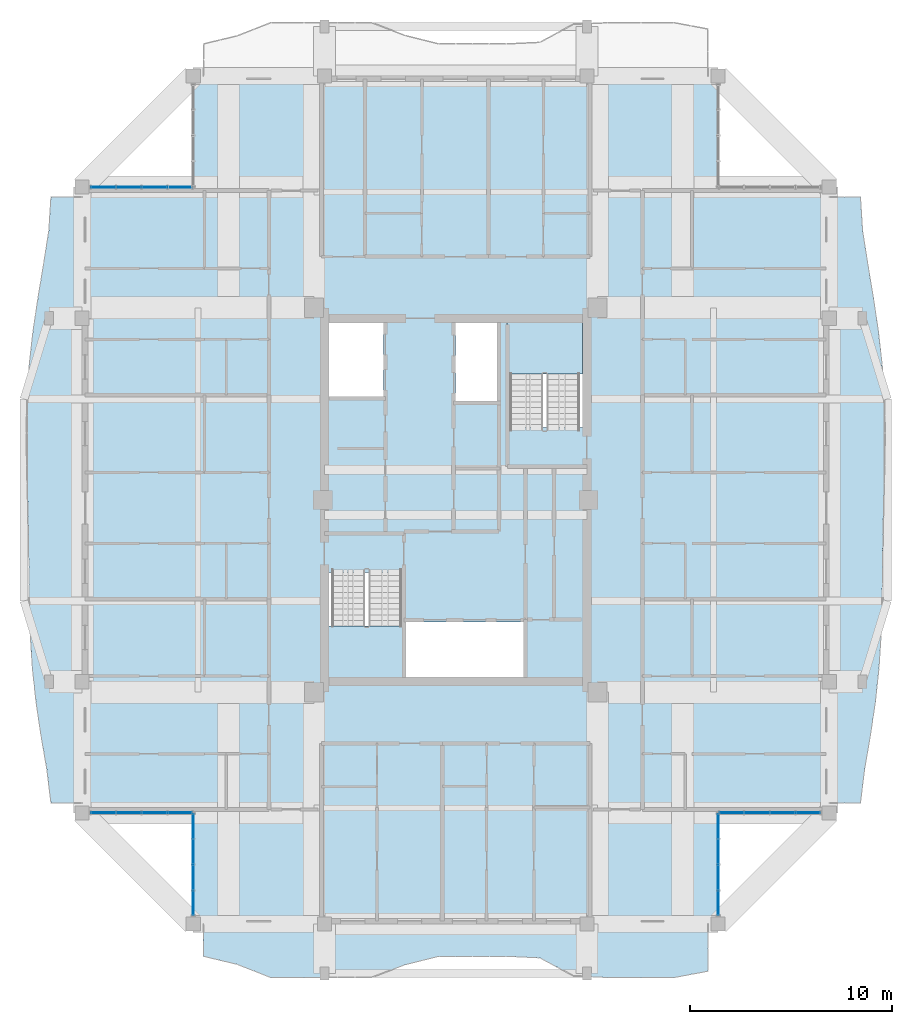
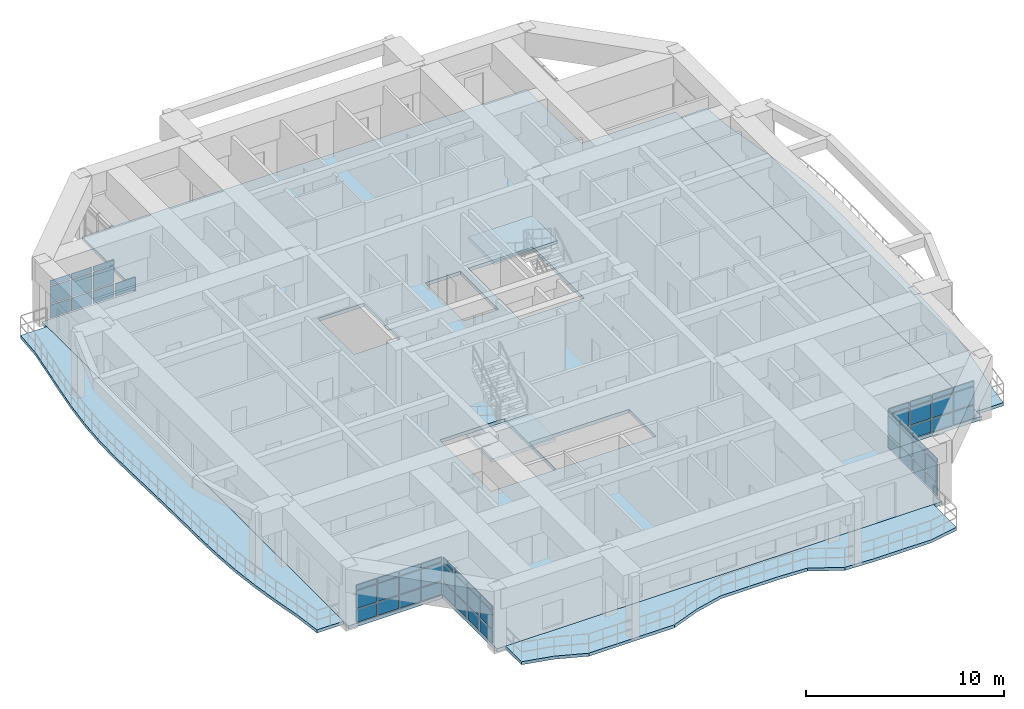
# One storey, part 9 of 22: 58 plates, 6 slabs, 7 elements without a shape of their own.
"""IFC4 building model written with IfcOpenShell, lengths in metres."""

from ifc_helpers import new_model, si_unit, direction, frame, origin, origin_2d, place, context, subcontext, project, spatial, polyline, rectangle, outline, extrude, source, transform, mapped, material, layer, layer_set, type_object, element, aggregate, save


model = new_model("IFC4")

# Units and contexts
model_context = context("Model", 3, precision=1e-05, world=origin(), true_north=direction((0.0, 1.0)))
body_context = subcontext(model_context, "Body", "Model", "MODEL_VIEW")
ifc_project = project(units=[si_unit("LENGTHUNIT", "METRE"), si_unit("AREAUNIT", "SQUARE_METRE"), si_unit("VOLUMEUNIT", "CUBIC_METRE"), si_unit("PLANEANGLEUNIT", "RADIAN"), si_unit("MASSUNIT", "GRAM", prefix="KILO")], contexts=[model_context])

# Site, building, storey
site_placement = place(None, origin())
site = spatial("IfcSite", under=ifc_project, at=site_placement, CompositionType="ELEMENT")
building_placement = place(site_placement, origin())
building = spatial("IfcBuilding", under=site, at=building_placement, Name="Saelheon Loggia Tower", CompositionType="ELEMENT")
storey_placement = place(building_placement, frame((0.0, 0.0, 216.300048828125)))
storey = spatial("IfcBuildingStorey", under=building, at=storey_placement, Name="L67", CompositionType="ELEMENT", Elevation=216.300048828125)

# Slabs
ifc_material_1 = material(Name="Precast Concrete C45/55", Category="concrete")
ifc_layer_1 = layer(ifc_material_1, 0.18994140625)
ifc_layer_set_1 = layer_set([ifc_layer_1], Name="Precast Concrete C45/55")
slab_type_1 = type_object("IfcSlabType", Name="Slab_Loggia_Ext_190", PredefinedType="FLOOR", material=ifc_layer_set_1)
slab_1_placement = place(storey_placement, frame((0.0, 0.0, -0.18994140625)))
element("IfcSlab", 1, at=slab_1_placement, inside=storey, type_object=slab_type_1, Name="L67 Loggia Balcony Slab S", PredefinedType="FLOOR", context=body_context, shape_type="SweptSolid", body=[
    extrude(outline(polyline([(25.5, 4.39990234375), (27.166748046875, 4.003662109375), (28.833251953125, 3.35009765625), (30.5, 3.35009765625), (32.166748046875, 3.35009765625), (33.833251953125, 3.35009765625), (35.5, 3.985595703125), (37.166748046875, 4.39990234375), (38.833251953125, 4.39990234375), (40.5, 4.39990234375), (42.166748046875, 4.3203125), (43.833251953125, 3.43115234375), (45.5, 3.35009765625), (47.166748046875, 3.35009765625), (48.833251953125, 3.35009765625), (50.5, 3.660400390625), (50.5, 6.0), (25.5, 6.0), (25.5, 4.39990234375)])), origin(), (0.0, 0.0, 1.0), 0.18994140625),
])
slab_2_placement = place(storey_placement, frame((0.0, 0.0, -0.18994140625)))
element("IfcSlab", 2, at=slab_2_placement, inside=storey, type_object=slab_type_1, Name="L67 Loggia Balcony Slab E", PredefinedType="FLOOR", context=body_context, shape_type="SweptSolid", body=[
    extrude(outline(polyline([(56.5, 12.0), (58.050048828125, 12.0), (58.25341796875, 13.666748046875), (58.541015625, 15.333251953125), (58.7880859375, 17.0), (58.967041015625, 18.666748046875), (59.072509765625, 20.333251953125), (59.12060546875, 22.0), (59.140869140625, 23.666748046875), (59.162109375, 25.333251953125), (59.197265625, 27.0), (59.2392578125, 28.666748046875), (59.261962890625, 30.333251953125), (59.232666015625, 32.0), (59.127197265625, 33.666748046875), (58.940673828125, 35.333251953125), (58.69189453125, 37.0), (58.416748046875, 38.666748046875), (58.155029296875, 40.333251953125), (58.050048828125, 42.0), (56.5, 42.0), (56.5, 12.0)])), origin(), (0.0, 0.0, 1.0), 0.18994140625),
])
slab_3_placement = place(storey_placement, frame((0.0, 0.0, -0.18994140625)))
element("IfcSlab", 3, at=slab_3_placement, inside=storey, type_object=slab_type_1, Name="L67 Loggia Balcony Slab W", PredefinedType="FLOOR", context=body_context, shape_type="SweptSolid", body=[
    extrude(outline(polyline([(19.5, 12.0), (19.5, 42.0), (17.949951171875, 42.0), (17.844970703125, 40.333251953125), (17.583251953125, 38.666748046875), (17.30810546875, 37.0), (17.059326171875, 35.333251953125), (16.872802734375, 33.666748046875), (16.767333984375, 32.0), (16.738037109375, 30.333251953125), (16.7607421875, 28.666748046875), (16.802734375, 27.0), (16.837890625, 25.333251953125), (16.859130859375, 23.666748046875), (16.87939453125, 22.0), (16.927490234375, 20.333251953125), (17.032958984375, 18.666748046875), (17.2119140625, 17.0), (17.458984375, 15.333251953125), (17.74658203125, 13.666748046875), (17.949951171875, 12.0), (19.5, 12.0)])), origin(), (0.0, 0.0, 1.0), 0.18994140625),
])

# Stair, slab
ifc_material_2 = material(Name="Concrete C40/50", Category="concrete")
stair_type = type_object("IfcStairType", Name="Stair_Escape_Core", PredefinedType="HALF_TURN_STAIR", material=ifc_material_2)
stair_1_placement = place(storey_placement, origin())
stair_1 = element("IfcStair", 4, at=stair_1_placement, inside=storey, type_object=stair_type, Name="L67 Special Escape Stair ST1", PredefinedType="HALF_TURN_STAIR")
ifc_layer_2 = layer(ifc_material_2, 0.199951171875)
ifc_layer_set_2 = layer_set([ifc_layer_2], Name="Concrete C40/50")
slab_type_2 = type_object("IfcSlabType", Name="Slab_StairLanding_ST1", PredefinedType="LANDING", material=ifc_layer_set_2)
slab_4_placement = place(storey_placement, frame((0.0, 0.0, 1.75)))
slab_4 = element("IfcSlab", 5, at=slab_4_placement, type_object=slab_type_2, Name="ST1 landing 1", PredefinedType="LANDING", context=body_context, shape_type="SweptSolid", body=[
    extrude(outline(polyline([(31.7099609375, 20.75), (31.7099609375, 18.2099609375), (35.469970703125, 18.2099609375), (35.469970703125, 20.75), (31.7099609375, 20.75)])), origin(), (0.0, 0.0, 1.0), 0.199951171875),
])
aggregate(stair_1, [slab_4])

stair_2_placement = place(storey_placement, origin())
stair_2 = element("IfcStair", 6, at=stair_2_placement, inside=storey, type_object=stair_type, Name="L67 Special Escape Stair ST2", PredefinedType="HALF_TURN_STAIR")
ifc_layer_3 = layer(ifc_material_2, 0.199951171875)
ifc_layer_set_3 = layer_set([ifc_layer_3], Name="Concrete C40/50")
slab_type_3 = type_object("IfcSlabType", Name="Slab_StairLanding_ST2", PredefinedType="LANDING", material=ifc_layer_set_3)
slab_5_placement = place(storey_placement, frame((0.0, 0.0, 1.75)))
slab_5 = element("IfcSlab", 7, at=slab_5_placement, type_object=slab_type_3, Name="ST2 landing 1", PredefinedType="LANDING", context=body_context, shape_type="SweptSolid", body=[
    extrude(outline(polyline([(44.2900390625, 33.25), (44.2900390625, 35.7900390625), (40.530029296875, 35.7900390625), (40.530029296875, 33.25), (44.2900390625, 33.25)])), origin(), (0.0, 0.0, 1.0), 0.199951171875),
])
aggregate(stair_2, [slab_5])

# Slab
ifc_layer_4 = layer(ifc_material_2, 0.2099609375)
ifc_layer_set_4 = layer_set([ifc_layer_4], Name="Concrete C40/50")
slab_type_4 = type_object("IfcSlabType", Name="Slab_Tower_210", PredefinedType="FLOOR", material=ifc_layer_set_4)
slab_6_placement = place(storey_placement, frame((0.0, 0.0, -0.2099609375)))
element("IfcSlab", 8, at=slab_6_placement, inside=storey, type_object=slab_type_4, Name="L67 Tower Floor Slab", PredefinedType="FLOOR", context=body_context, shape_type="SweptSolid", body=[
    extrude(outline(polyline([(25.0, 6.0), (51.0, 6.0), (51.0, 11.5), (56.5, 11.5), (56.5, 42.5), (51.0, 42.5), (51.0, 48.0), (25.0, 48.0), (25.0, 42.5), (19.5, 42.5), (19.5, 11.5), (25.0, 11.5), (25.0, 6.0)]), holes=[polyline([(31.699951171875, 23.409912109375), (31.699951171875, 18.199951171875), (35.47998046875, 18.199951171875), (35.47998046875, 23.409912109375), (31.699951171875, 23.409912109375)]), polyline([(44.300048828125, 30.590087890625), (44.300048828125, 35.800048828125), (40.52001953125, 35.800048828125), (40.52001953125, 30.590087890625), (44.300048828125, 30.590087890625)]), polyline([(35.530029296875, 18.22509765625), (41.35009765625, 18.22509765625), (41.35009765625, 20.9599609375), (35.530029296875, 20.9599609375), (35.530029296875, 18.22509765625)]), polyline([(31.72509765625, 32.1201171875), (34.419921875, 32.1201171875), (34.419921875, 35.77490234375), (31.72509765625, 35.77490234375), (31.72509765625, 32.1201171875)]), polyline([(38.0, 31.89990234375), (40.050048828125, 31.89990234375), (40.050048828125, 35.77490234375), (38.0, 35.77490234375), (38.0, 31.89990234375)])]), origin(), (0.0, 0.0, 1.0), 0.2099609375),
])

# Curtain wall, plates
ifc_material_3 = material(Name="High-Wind Aluminium and Triple Laminated Glass", Category="aluminium")
ifc_layer_5 = layer(ifc_material_3, 0.179931640625)
ifc_layer_set_5 = layer_set([ifc_layer_5], Name="High-Wind Aluminium and Triple Laminated Glass")
curtain_wall_type = type_object("IfcCurtainWallType", Name="CW_TowerLoggiaHigh", PredefinedType="NOTDEFINED", material=ifc_layer_set_5)
curtain_wall_1_placement = place(storey_placement, origin())
curtain_wall_1 = element("IfcCurtainWall", 9, at=curtain_wall_1_placement, inside=storey, type_object=curtain_wall_type, Name="L67 Corner Notch Glazing SW1", PredefinedType="NOTDEFINED")
ifc_material_4 = material(Name="Triple Low-E Laminated Glazing", Category="glass")
ifc_layer_6 = layer(ifc_material_4, 0.0439453125)
ifc_layer_set_6 = layer_set([ifc_layer_6], Name="Triple Low-E Laminated Glazing")
plate_type = type_object("IfcPlateType", Name="CW_TowerLoggiaHigh_Panel", PredefinedType="CURTAIN_PANEL", material=ifc_layer_set_6)
shared_shape_1 = source(origin(), body_context, "Body", "SweptSolid", [
    extrude(rectangle(XDim=1.172607421875, YDim=0.0439453125, at=origin_2d()), origin(), (0.0, 0.0, 1.0), 0.794921875),
])
plate_1_placement = place(storey_placement, frame((25.0, 7.046142578125, 0.070068359375), z_axis=(0.0, 0.0, 1.0), x_axis=(0.0, 1.0, 0.0)))
plate_1 = element("IfcPlate", 10, at=plate_1_placement, type_object=plate_type, Name="CW4 panel 1.1", PredefinedType="CURTAIN_PANEL", context=body_context, shape_type="MappedRepresentation", body=[
    mapped(shared_shape_1, transform((0.0, 0.0, 0.0), scale=1.0)),
])
plate_2_placement = place(storey_placement, frame((25.0, 10.84375, 0.070068359375), z_axis=(0.0, 0.0, 1.0), x_axis=(0.0, 1.0, 0.0)))
plate_2 = element("IfcPlate", 11, at=plate_2_placement, type_object=plate_type, Name="CW4 panel 4.1", PredefinedType="CURTAIN_PANEL", context=body_context, shape_type="MappedRepresentation", body=[
    mapped(shared_shape_1, transform((0.0, 0.0, 0.0), scale=1.0)),
])

curtain_wall_2_placement = place(storey_placement, origin())
curtain_wall_2 = element("IfcCurtainWall", 12, at=curtain_wall_2_placement, inside=storey, type_object=curtain_wall_type, Name="L67 Corner Notch Glazing SW2", PredefinedType="NOTDEFINED")
plate_3_placement = place(storey_placement, frame((20.546142578125, 11.5, 0.070068359375), z_axis=(0.0, 0.0, 1.0), x_axis=(1.0, 0.0, 0.0)))
plate_3 = element("IfcPlate", 13, at=plate_3_placement, type_object=plate_type, Name="CW4 panel 1.1", PredefinedType="CURTAIN_PANEL", context=body_context, shape_type="MappedRepresentation", body=[
    mapped(shared_shape_1, transform((0.0, 0.0, 0.0), scale=1.0)),
])
plate_4_placement = place(storey_placement, frame((24.34375, 11.5, 0.070068359375), z_axis=(0.0, 0.0, 1.0), x_axis=(1.0, 0.0, 0.0)))
plate_4 = element("IfcPlate", 14, at=plate_4_placement, type_object=plate_type, Name="CW4 panel 4.1", PredefinedType="CURTAIN_PANEL", context=body_context, shape_type="MappedRepresentation", body=[
    mapped(shared_shape_1, transform((0.0, 0.0, 0.0), scale=1.0)),
])

curtain_wall_3_placement = place(storey_placement, origin())
curtain_wall_3 = element("IfcCurtainWall", 15, at=curtain_wall_3_placement, inside=storey, type_object=curtain_wall_type, Name="L67 Corner Notch Glazing SE1", PredefinedType="NOTDEFINED")
plate_5_placement = place(storey_placement, frame((51.0, 7.046142578125, 0.070068359375), z_axis=(0.0, 0.0, 1.0), x_axis=(0.0, 1.0, 0.0)))
plate_5 = element("IfcPlate", 16, at=plate_5_placement, type_object=plate_type, Name="CW4 panel 1.1", PredefinedType="CURTAIN_PANEL", context=body_context, shape_type="MappedRepresentation", body=[
    mapped(shared_shape_1, transform((0.0, 0.0, 0.0), scale=1.0)),
])
plate_6_placement = place(storey_placement, frame((51.0, 10.84375, 0.070068359375), z_axis=(0.0, 0.0, 1.0), x_axis=(0.0, 1.0, 0.0)))
plate_6 = element("IfcPlate", 17, at=plate_6_placement, type_object=plate_type, Name="CW4 panel 4.1", PredefinedType="CURTAIN_PANEL", context=body_context, shape_type="MappedRepresentation", body=[
    mapped(shared_shape_1, transform((0.0, 0.0, 0.0), scale=1.0)),
])

curtain_wall_4_placement = place(storey_placement, origin())
curtain_wall_4 = element("IfcCurtainWall", 18, at=curtain_wall_4_placement, inside=storey, type_object=curtain_wall_type, Name="L67 Corner Notch Glazing SE2", PredefinedType="NOTDEFINED")
plate_7_placement = place(storey_placement, frame((51.65625, 11.5, 0.070068359375), z_axis=(0.0, 0.0, 1.0), x_axis=(1.0, 0.0, 0.0)))
plate_7 = element("IfcPlate", 19, at=plate_7_placement, type_object=plate_type, Name="CW4 panel 1.1", PredefinedType="CURTAIN_PANEL", context=body_context, shape_type="MappedRepresentation", body=[
    mapped(shared_shape_1, transform((0.0, 0.0, 0.0), scale=1.0)),
])
plate_8_placement = place(storey_placement, frame((55.453857421875, 11.5, 0.070068359375), z_axis=(0.0, 0.0, 1.0), x_axis=(1.0, 0.0, 0.0)))
plate_8 = element("IfcPlate", 20, at=plate_8_placement, type_object=plate_type, Name="CW4 panel 4.1", PredefinedType="CURTAIN_PANEL", context=body_context, shape_type="MappedRepresentation", body=[
    mapped(shared_shape_1, transform((0.0, 0.0, 0.0), scale=1.0)),
])

curtain_wall_5_placement = place(storey_placement, origin())
curtain_wall_5 = element("IfcCurtainWall", 21, at=curtain_wall_5_placement, inside=storey, type_object=curtain_wall_type, Name="L67 Corner Notch Glazing NW2", PredefinedType="NOTDEFINED")
plate_9_placement = place(storey_placement, frame((20.546142578125, 42.5, 0.070068359375), z_axis=(0.0, 0.0, 1.0), x_axis=(1.0, 0.0, 0.0)))
plate_9 = element("IfcPlate", 22, at=plate_9_placement, type_object=plate_type, Name="CW4 panel 1.1", PredefinedType="CURTAIN_PANEL", context=body_context, shape_type="MappedRepresentation", body=[
    mapped(shared_shape_1, transform((0.0, 0.0, 0.0), scale=1.0)),
])
plate_10_placement = place(storey_placement, frame((24.34375, 42.5, 0.070068359375), z_axis=(0.0, 0.0, 1.0), x_axis=(1.0, 0.0, 0.0)))
plate_10 = element("IfcPlate", 23, at=plate_10_placement, type_object=plate_type, Name="CW4 panel 4.1", PredefinedType="CURTAIN_PANEL", context=body_context, shape_type="MappedRepresentation", body=[
    mapped(shared_shape_1, transform((0.0, 0.0, 0.0), scale=1.0)),
])

# Plate
shared_shape_2 = source(origin(), body_context, "Body", "SweptSolid", [
    extrude(rectangle(XDim=1.172607421875, YDim=0.0439453125, at=origin_2d()), origin(), (0.0, 0.0, 1.0), 1.080078125),
])
plate_11_placement = place(storey_placement, frame((25.0, 7.046142578125, 0.934814453125), z_axis=(0.0, 0.0, 1.0), x_axis=(0.0, 1.0, 0.0)))
plate_11 = element("IfcPlate", 24, at=plate_11_placement, type_object=plate_type, Name="CW4 panel 1.2", PredefinedType="CURTAIN_PANEL", context=body_context, shape_type="MappedRepresentation", body=[
    mapped(shared_shape_2, transform((0.0, 0.0, 0.0), scale=1.0)),
])

plate_12_placement = place(storey_placement, frame((25.0, 10.84375, 0.934814453125), z_axis=(0.0, 0.0, 1.0), x_axis=(0.0, 1.0, 0.0)))
plate_12 = element("IfcPlate", 25, at=plate_12_placement, type_object=plate_type, Name="CW4 panel 4.2", PredefinedType="CURTAIN_PANEL", context=body_context, shape_type="MappedRepresentation", body=[
    mapped(shared_shape_2, transform((0.0, 0.0, 0.0), scale=1.0)),
])

plate_13_placement = place(storey_placement, frame((20.546142578125, 11.5, 0.934814453125), z_axis=(0.0, 0.0, 1.0), x_axis=(1.0, 0.0, 0.0)))
plate_13 = element("IfcPlate", 26, at=plate_13_placement, type_object=plate_type, Name="CW4 panel 1.2", PredefinedType="CURTAIN_PANEL", context=body_context, shape_type="MappedRepresentation", body=[
    mapped(shared_shape_2, transform((0.0, 0.0, 0.0), scale=1.0)),
])

plate_14_placement = place(storey_placement, frame((24.34375, 11.5, 0.934814453125), z_axis=(0.0, 0.0, 1.0), x_axis=(1.0, 0.0, 0.0)))
plate_14 = element("IfcPlate", 27, at=plate_14_placement, type_object=plate_type, Name="CW4 panel 4.2", PredefinedType="CURTAIN_PANEL", context=body_context, shape_type="MappedRepresentation", body=[
    mapped(shared_shape_2, transform((0.0, 0.0, 0.0), scale=1.0)),
])

plate_15_placement = place(storey_placement, frame((51.0, 7.046142578125, 0.934814453125), z_axis=(0.0, 0.0, 1.0), x_axis=(0.0, 1.0, 0.0)))
plate_15 = element("IfcPlate", 28, at=plate_15_placement, type_object=plate_type, Name="CW4 panel 1.2", PredefinedType="CURTAIN_PANEL", context=body_context, shape_type="MappedRepresentation", body=[
    mapped(shared_shape_2, transform((0.0, 0.0, 0.0), scale=1.0)),
])

plate_16_placement = place(storey_placement, frame((51.0, 10.84375, 0.934814453125), z_axis=(0.0, 0.0, 1.0), x_axis=(0.0, 1.0, 0.0)))
plate_16 = element("IfcPlate", 29, at=plate_16_placement, type_object=plate_type, Name="CW4 panel 4.2", PredefinedType="CURTAIN_PANEL", context=body_context, shape_type="MappedRepresentation", body=[
    mapped(shared_shape_2, transform((0.0, 0.0, 0.0), scale=1.0)),
])

plate_17_placement = place(storey_placement, frame((51.65625, 11.5, 0.934814453125), z_axis=(0.0, 0.0, 1.0), x_axis=(1.0, 0.0, 0.0)))
plate_17 = element("IfcPlate", 30, at=plate_17_placement, type_object=plate_type, Name="CW4 panel 1.2", PredefinedType="CURTAIN_PANEL", context=body_context, shape_type="MappedRepresentation", body=[
    mapped(shared_shape_2, transform((0.0, 0.0, 0.0), scale=1.0)),
])

plate_18_placement = place(storey_placement, frame((55.453857421875, 11.5, 0.934814453125), z_axis=(0.0, 0.0, 1.0), x_axis=(1.0, 0.0, 0.0)))
plate_18 = element("IfcPlate", 31, at=plate_18_placement, type_object=plate_type, Name="CW4 panel 4.2", PredefinedType="CURTAIN_PANEL", context=body_context, shape_type="MappedRepresentation", body=[
    mapped(shared_shape_2, transform((0.0, 0.0, 0.0), scale=1.0)),
])

plate_19_placement = place(storey_placement, frame((20.546142578125, 42.5, 0.934814453125), z_axis=(0.0, 0.0, 1.0), x_axis=(1.0, 0.0, 0.0)))
plate_19 = element("IfcPlate", 32, at=plate_19_placement, type_object=plate_type, Name="CW4 panel 1.2", PredefinedType="CURTAIN_PANEL", context=body_context, shape_type="MappedRepresentation", body=[
    mapped(shared_shape_2, transform((0.0, 0.0, 0.0), scale=1.0)),
])

shared_shape_3 = source(origin(), body_context, "Body", "SweptSolid", [
    extrude(rectangle(XDim=1.172607421875, YDim=0.0439453125, at=origin_2d()), origin(), (0.0, 0.0, 1.0), 0.284912109375),
])
plate_20_placement = place(storey_placement, frame((25.0, 7.046142578125, 2.0849609375), z_axis=(0.0, 0.0, 1.0), x_axis=(0.0, 1.0, 0.0)))
plate_20 = element("IfcPlate", 33, at=plate_20_placement, type_object=plate_type, Name="CW4 panel 1.3", PredefinedType="CURTAIN_PANEL", context=body_context, shape_type="MappedRepresentation", body=[
    mapped(shared_shape_3, transform((0.0, 0.0, 0.0), scale=1.0)),
])

plate_21_placement = place(storey_placement, frame((25.0, 10.84375, 2.0849609375), z_axis=(0.0, 0.0, 1.0), x_axis=(0.0, 1.0, 0.0)))
plate_21 = element("IfcPlate", 34, at=plate_21_placement, type_object=plate_type, Name="CW4 panel 4.3", PredefinedType="CURTAIN_PANEL", context=body_context, shape_type="MappedRepresentation", body=[
    mapped(shared_shape_3, transform((0.0, 0.0, 0.0), scale=1.0)),
])

plate_22_placement = place(storey_placement, frame((20.546142578125, 11.5, 2.0849609375), z_axis=(0.0, 0.0, 1.0), x_axis=(1.0, 0.0, 0.0)))
plate_22 = element("IfcPlate", 35, at=plate_22_placement, type_object=plate_type, Name="CW4 panel 1.3", PredefinedType="CURTAIN_PANEL", context=body_context, shape_type="MappedRepresentation", body=[
    mapped(shared_shape_3, transform((0.0, 0.0, 0.0), scale=1.0)),
])

plate_23_placement = place(storey_placement, frame((24.34375, 11.5, 2.0849609375), z_axis=(0.0, 0.0, 1.0), x_axis=(1.0, 0.0, 0.0)))
plate_23 = element("IfcPlate", 36, at=plate_23_placement, type_object=plate_type, Name="CW4 panel 4.3", PredefinedType="CURTAIN_PANEL", context=body_context, shape_type="MappedRepresentation", body=[
    mapped(shared_shape_3, transform((0.0, 0.0, 0.0), scale=1.0)),
])

plate_24_placement = place(storey_placement, frame((51.0, 7.046142578125, 2.0849609375), z_axis=(0.0, 0.0, 1.0), x_axis=(0.0, 1.0, 0.0)))
plate_24 = element("IfcPlate", 37, at=plate_24_placement, type_object=plate_type, Name="CW4 panel 1.3", PredefinedType="CURTAIN_PANEL", context=body_context, shape_type="MappedRepresentation", body=[
    mapped(shared_shape_3, transform((0.0, 0.0, 0.0), scale=1.0)),
])

plate_25_placement = place(storey_placement, frame((51.0, 10.84375, 2.0849609375), z_axis=(0.0, 0.0, 1.0), x_axis=(0.0, 1.0, 0.0)))
plate_25 = element("IfcPlate", 38, at=plate_25_placement, type_object=plate_type, Name="CW4 panel 4.3", PredefinedType="CURTAIN_PANEL", context=body_context, shape_type="MappedRepresentation", body=[
    mapped(shared_shape_3, transform((0.0, 0.0, 0.0), scale=1.0)),
])

plate_26_placement = place(storey_placement, frame((51.65625, 11.5, 2.0849609375), z_axis=(0.0, 0.0, 1.0), x_axis=(1.0, 0.0, 0.0)))
plate_26 = element("IfcPlate", 39, at=plate_26_placement, type_object=plate_type, Name="CW4 panel 1.3", PredefinedType="CURTAIN_PANEL", context=body_context, shape_type="MappedRepresentation", body=[
    mapped(shared_shape_3, transform((0.0, 0.0, 0.0), scale=1.0)),
])

plate_27_placement = place(storey_placement, frame((55.453857421875, 11.5, 2.0849609375), z_axis=(0.0, 0.0, 1.0), x_axis=(1.0, 0.0, 0.0)))
plate_27 = element("IfcPlate", 40, at=plate_27_placement, type_object=plate_type, Name="CW4 panel 4.3", PredefinedType="CURTAIN_PANEL", context=body_context, shape_type="MappedRepresentation", body=[
    mapped(shared_shape_3, transform((0.0, 0.0, 0.0), scale=1.0)),
])

plate_28_placement = place(storey_placement, frame((20.546142578125, 42.5, 2.0849609375), z_axis=(0.0, 0.0, 1.0), x_axis=(1.0, 0.0, 0.0)))
plate_28 = element("IfcPlate", 41, at=plate_28_placement, type_object=plate_type, Name="CW4 panel 1.3", PredefinedType="CURTAIN_PANEL", context=body_context, shape_type="MappedRepresentation", body=[
    mapped(shared_shape_3, transform((0.0, 0.0, 0.0), scale=1.0)),
])

shared_shape_4 = source(origin(), body_context, "Body", "SweptSolid", [
    extrude(rectangle(XDim=1.20751953125, YDim=0.0439453125, at=origin_2d()), origin(), (0.0, 0.0, 1.0), 0.794921875),
])
plate_29_placement = place(storey_placement, frame((25.0, 8.30615234375, 0.070068359375), z_axis=(0.0, 0.0, 1.0), x_axis=(0.0, 1.0, 0.0)))
plate_29 = element("IfcPlate", 42, at=plate_29_placement, type_object=plate_type, Name="CW4 panel 2.1", PredefinedType="CURTAIN_PANEL", context=body_context, shape_type="MappedRepresentation", body=[
    mapped(shared_shape_4, transform((0.0, 0.0, 0.0), scale=1.0)),
])

plate_30_placement = place(storey_placement, frame((25.0, 9.583740234375, 0.070068359375), z_axis=(0.0, 0.0, 1.0), x_axis=(0.0, 1.0, 0.0)))
plate_30 = element("IfcPlate", 43, at=plate_30_placement, type_object=plate_type, Name="CW4 panel 3.1", PredefinedType="CURTAIN_PANEL", context=body_context, shape_type="MappedRepresentation", body=[
    mapped(shared_shape_4, transform((0.0, 0.0, 0.0), scale=1.0)),
])

plate_31_placement = place(storey_placement, frame((21.80615234375, 11.5, 0.070068359375), z_axis=(0.0, 0.0, 1.0), x_axis=(1.0, 0.0, 0.0)))
plate_31 = element("IfcPlate", 44, at=plate_31_placement, type_object=plate_type, Name="CW4 panel 2.1", PredefinedType="CURTAIN_PANEL", context=body_context, shape_type="MappedRepresentation", body=[
    mapped(shared_shape_4, transform((0.0, 0.0, 0.0), scale=1.0)),
])

plate_32_placement = place(storey_placement, frame((23.083740234375, 11.5, 0.070068359375), z_axis=(0.0, 0.0, 1.0), x_axis=(1.0, 0.0, 0.0)))
plate_32 = element("IfcPlate", 45, at=plate_32_placement, type_object=plate_type, Name="CW4 panel 3.1", PredefinedType="CURTAIN_PANEL", context=body_context, shape_type="MappedRepresentation", body=[
    mapped(shared_shape_4, transform((0.0, 0.0, 0.0), scale=1.0)),
])

plate_33_placement = place(storey_placement, frame((51.0, 8.30615234375, 0.070068359375), z_axis=(0.0, 0.0, 1.0), x_axis=(0.0, 1.0, 0.0)))
plate_33 = element("IfcPlate", 46, at=plate_33_placement, type_object=plate_type, Name="CW4 panel 2.1", PredefinedType="CURTAIN_PANEL", context=body_context, shape_type="MappedRepresentation", body=[
    mapped(shared_shape_4, transform((0.0, 0.0, 0.0), scale=1.0)),
])

plate_34_placement = place(storey_placement, frame((51.0, 9.583740234375, 0.070068359375), z_axis=(0.0, 0.0, 1.0), x_axis=(0.0, 1.0, 0.0)))
plate_34 = element("IfcPlate", 47, at=plate_34_placement, type_object=plate_type, Name="CW4 panel 3.1", PredefinedType="CURTAIN_PANEL", context=body_context, shape_type="MappedRepresentation", body=[
    mapped(shared_shape_4, transform((0.0, 0.0, 0.0), scale=1.0)),
])

plate_35_placement = place(storey_placement, frame((52.916259765625, 11.5, 0.070068359375), z_axis=(0.0, 0.0, 1.0), x_axis=(1.0, 0.0, 0.0)))
plate_35 = element("IfcPlate", 48, at=plate_35_placement, type_object=plate_type, Name="CW4 panel 2.1", PredefinedType="CURTAIN_PANEL", context=body_context, shape_type="MappedRepresentation", body=[
    mapped(shared_shape_4, transform((0.0, 0.0, 0.0), scale=1.0)),
])

plate_36_placement = place(storey_placement, frame((54.19384765625, 11.5, 0.070068359375), z_axis=(0.0, 0.0, 1.0), x_axis=(1.0, 0.0, 0.0)))
plate_36 = element("IfcPlate", 49, at=plate_36_placement, type_object=plate_type, Name="CW4 panel 3.1", PredefinedType="CURTAIN_PANEL", context=body_context, shape_type="MappedRepresentation", body=[
    mapped(shared_shape_4, transform((0.0, 0.0, 0.0), scale=1.0)),
])

plate_37_placement = place(storey_placement, frame((21.80615234375, 42.5, 0.070068359375), z_axis=(0.0, 0.0, 1.0), x_axis=(1.0, 0.0, 0.0)))
plate_37 = element("IfcPlate", 50, at=plate_37_placement, type_object=plate_type, Name="CW4 panel 2.1", PredefinedType="CURTAIN_PANEL", context=body_context, shape_type="MappedRepresentation", body=[
    mapped(shared_shape_4, transform((0.0, 0.0, 0.0), scale=1.0)),
])

plate_38_placement = place(storey_placement, frame((23.083740234375, 42.5, 0.070068359375), z_axis=(0.0, 0.0, 1.0), x_axis=(1.0, 0.0, 0.0)))
plate_38 = element("IfcPlate", 51, at=plate_38_placement, type_object=plate_type, Name="CW4 panel 3.1", PredefinedType="CURTAIN_PANEL", context=body_context, shape_type="MappedRepresentation", body=[
    mapped(shared_shape_4, transform((0.0, 0.0, 0.0), scale=1.0)),
])

shared_shape_5 = source(origin(), body_context, "Body", "SweptSolid", [
    extrude(rectangle(XDim=1.20751953125, YDim=0.0439453125, at=origin_2d()), origin(), (0.0, 0.0, 1.0), 1.080078125),
])
plate_39_placement = place(storey_placement, frame((25.0, 8.30615234375, 0.934814453125), z_axis=(0.0, 0.0, 1.0), x_axis=(0.0, 1.0, 0.0)))
plate_39 = element("IfcPlate", 52, at=plate_39_placement, type_object=plate_type, Name="CW4 panel 2.2", PredefinedType="CURTAIN_PANEL", context=body_context, shape_type="MappedRepresentation", body=[
    mapped(shared_shape_5, transform((0.0, 0.0, 0.0), scale=1.0)),
])

plate_40_placement = place(storey_placement, frame((25.0, 9.583740234375, 0.934814453125), z_axis=(0.0, 0.0, 1.0), x_axis=(0.0, 1.0, 0.0)))
plate_40 = element("IfcPlate", 53, at=plate_40_placement, type_object=plate_type, Name="CW4 panel 3.2", PredefinedType="CURTAIN_PANEL", context=body_context, shape_type="MappedRepresentation", body=[
    mapped(shared_shape_5, transform((0.0, 0.0, 0.0), scale=1.0)),
])

plate_41_placement = place(storey_placement, frame((21.80615234375, 11.5, 0.934814453125), z_axis=(0.0, 0.0, 1.0), x_axis=(1.0, 0.0, 0.0)))
plate_41 = element("IfcPlate", 54, at=plate_41_placement, type_object=plate_type, Name="CW4 panel 2.2", PredefinedType="CURTAIN_PANEL", context=body_context, shape_type="MappedRepresentation", body=[
    mapped(shared_shape_5, transform((0.0, 0.0, 0.0), scale=1.0)),
])

plate_42_placement = place(storey_placement, frame((23.083740234375, 11.5, 0.934814453125), z_axis=(0.0, 0.0, 1.0), x_axis=(1.0, 0.0, 0.0)))
plate_42 = element("IfcPlate", 55, at=plate_42_placement, type_object=plate_type, Name="CW4 panel 3.2", PredefinedType="CURTAIN_PANEL", context=body_context, shape_type="MappedRepresentation", body=[
    mapped(shared_shape_5, transform((0.0, 0.0, 0.0), scale=1.0)),
])

plate_43_placement = place(storey_placement, frame((51.0, 8.30615234375, 0.934814453125), z_axis=(0.0, 0.0, 1.0), x_axis=(0.0, 1.0, 0.0)))
plate_43 = element("IfcPlate", 56, at=plate_43_placement, type_object=plate_type, Name="CW4 panel 2.2", PredefinedType="CURTAIN_PANEL", context=body_context, shape_type="MappedRepresentation", body=[
    mapped(shared_shape_5, transform((0.0, 0.0, 0.0), scale=1.0)),
])

plate_44_placement = place(storey_placement, frame((51.0, 9.583740234375, 0.934814453125), z_axis=(0.0, 0.0, 1.0), x_axis=(0.0, 1.0, 0.0)))
plate_44 = element("IfcPlate", 57, at=plate_44_placement, type_object=plate_type, Name="CW4 panel 3.2", PredefinedType="CURTAIN_PANEL", context=body_context, shape_type="MappedRepresentation", body=[
    mapped(shared_shape_5, transform((0.0, 0.0, 0.0), scale=1.0)),
])

plate_45_placement = place(storey_placement, frame((52.916259765625, 11.5, 0.934814453125), z_axis=(0.0, 0.0, 1.0), x_axis=(1.0, 0.0, 0.0)))
plate_45 = element("IfcPlate", 58, at=plate_45_placement, type_object=plate_type, Name="CW4 panel 2.2", PredefinedType="CURTAIN_PANEL", context=body_context, shape_type="MappedRepresentation", body=[
    mapped(shared_shape_5, transform((0.0, 0.0, 0.0), scale=1.0)),
])

plate_46_placement = place(storey_placement, frame((54.19384765625, 11.5, 0.934814453125), z_axis=(0.0, 0.0, 1.0), x_axis=(1.0, 0.0, 0.0)))
plate_46 = element("IfcPlate", 59, at=plate_46_placement, type_object=plate_type, Name="CW4 panel 3.2", PredefinedType="CURTAIN_PANEL", context=body_context, shape_type="MappedRepresentation", body=[
    mapped(shared_shape_5, transform((0.0, 0.0, 0.0), scale=1.0)),
])

plate_47_placement = place(storey_placement, frame((21.80615234375, 42.5, 0.934814453125), z_axis=(0.0, 0.0, 1.0), x_axis=(1.0, 0.0, 0.0)))
plate_47 = element("IfcPlate", 60, at=plate_47_placement, type_object=plate_type, Name="CW4 panel 2.2", PredefinedType="CURTAIN_PANEL", context=body_context, shape_type="MappedRepresentation", body=[
    mapped(shared_shape_5, transform((0.0, 0.0, 0.0), scale=1.0)),
])

plate_48_placement = place(storey_placement, frame((23.083740234375, 42.5, 0.934814453125), z_axis=(0.0, 0.0, 1.0), x_axis=(1.0, 0.0, 0.0)))
plate_48 = element("IfcPlate", 61, at=plate_48_placement, type_object=plate_type, Name="CW4 panel 3.2", PredefinedType="CURTAIN_PANEL", context=body_context, shape_type="MappedRepresentation", body=[
    mapped(shared_shape_5, transform((0.0, 0.0, 0.0), scale=1.0)),
])

shared_shape_6 = source(origin(), body_context, "Body", "SweptSolid", [
    extrude(rectangle(XDim=1.20751953125, YDim=0.0439453125, at=origin_2d()), origin(), (0.0, 0.0, 1.0), 0.284912109375),
])
plate_49_placement = place(storey_placement, frame((25.0, 8.30615234375, 2.0849609375), z_axis=(0.0, 0.0, 1.0), x_axis=(0.0, 1.0, 0.0)))
plate_49 = element("IfcPlate", 62, at=plate_49_placement, type_object=plate_type, Name="CW4 panel 2.3", PredefinedType="CURTAIN_PANEL", context=body_context, shape_type="MappedRepresentation", body=[
    mapped(shared_shape_6, transform((0.0, 0.0, 0.0), scale=1.0)),
])

plate_50_placement = place(storey_placement, frame((25.0, 9.583740234375, 2.0849609375), z_axis=(0.0, 0.0, 1.0), x_axis=(0.0, 1.0, 0.0)))
plate_50 = element("IfcPlate", 63, at=plate_50_placement, type_object=plate_type, Name="CW4 panel 3.3", PredefinedType="CURTAIN_PANEL", context=body_context, shape_type="MappedRepresentation", body=[
    mapped(shared_shape_6, transform((0.0, 0.0, 0.0), scale=1.0)),
])

aggregate(curtain_wall_1, [plate_1, plate_11, plate_20, plate_29, plate_39, plate_49, plate_30, plate_40, plate_50, plate_2, plate_12, plate_21])

plate_51_placement = place(storey_placement, frame((21.80615234375, 11.5, 2.0849609375), z_axis=(0.0, 0.0, 1.0), x_axis=(1.0, 0.0, 0.0)))
plate_51 = element("IfcPlate", 64, at=plate_51_placement, type_object=plate_type, Name="CW4 panel 2.3", PredefinedType="CURTAIN_PANEL", context=body_context, shape_type="MappedRepresentation", body=[
    mapped(shared_shape_6, transform((0.0, 0.0, 0.0), scale=1.0)),
])

plate_52_placement = place(storey_placement, frame((23.083740234375, 11.5, 2.0849609375), z_axis=(0.0, 0.0, 1.0), x_axis=(1.0, 0.0, 0.0)))
plate_52 = element("IfcPlate", 65, at=plate_52_placement, type_object=plate_type, Name="CW4 panel 3.3", PredefinedType="CURTAIN_PANEL", context=body_context, shape_type="MappedRepresentation", body=[
    mapped(shared_shape_6, transform((0.0, 0.0, 0.0), scale=1.0)),
])

aggregate(curtain_wall_2, [plate_3, plate_13, plate_22, plate_31, plate_41, plate_51, plate_32, plate_42, plate_52, plate_4, plate_14, plate_23])

plate_53_placement = place(storey_placement, frame((51.0, 8.30615234375, 2.0849609375), z_axis=(0.0, 0.0, 1.0), x_axis=(0.0, 1.0, 0.0)))
plate_53 = element("IfcPlate", 66, at=plate_53_placement, type_object=plate_type, Name="CW4 panel 2.3", PredefinedType="CURTAIN_PANEL", context=body_context, shape_type="MappedRepresentation", body=[
    mapped(shared_shape_6, transform((0.0, 0.0, 0.0), scale=1.0)),
])

plate_54_placement = place(storey_placement, frame((51.0, 9.583740234375, 2.0849609375), z_axis=(0.0, 0.0, 1.0), x_axis=(0.0, 1.0, 0.0)))
plate_54 = element("IfcPlate", 67, at=plate_54_placement, type_object=plate_type, Name="CW4 panel 3.3", PredefinedType="CURTAIN_PANEL", context=body_context, shape_type="MappedRepresentation", body=[
    mapped(shared_shape_6, transform((0.0, 0.0, 0.0), scale=1.0)),
])

aggregate(curtain_wall_3, [plate_5, plate_15, plate_24, plate_33, plate_43, plate_53, plate_34, plate_44, plate_54, plate_6, plate_16, plate_25])

plate_55_placement = place(storey_placement, frame((52.916259765625, 11.5, 2.0849609375), z_axis=(0.0, 0.0, 1.0), x_axis=(1.0, 0.0, 0.0)))
plate_55 = element("IfcPlate", 68, at=plate_55_placement, type_object=plate_type, Name="CW4 panel 2.3", PredefinedType="CURTAIN_PANEL", context=body_context, shape_type="MappedRepresentation", body=[
    mapped(shared_shape_6, transform((0.0, 0.0, 0.0), scale=1.0)),
])

plate_56_placement = place(storey_placement, frame((54.19384765625, 11.5, 2.0849609375), z_axis=(0.0, 0.0, 1.0), x_axis=(1.0, 0.0, 0.0)))
plate_56 = element("IfcPlate", 69, at=plate_56_placement, type_object=plate_type, Name="CW4 panel 3.3", PredefinedType="CURTAIN_PANEL", context=body_context, shape_type="MappedRepresentation", body=[
    mapped(shared_shape_6, transform((0.0, 0.0, 0.0), scale=1.0)),
])

aggregate(curtain_wall_4, [plate_7, plate_17, plate_26, plate_35, plate_45, plate_55, plate_36, plate_46, plate_56, plate_8, plate_18, plate_27])

plate_57_placement = place(storey_placement, frame((21.80615234375, 42.5, 2.0849609375), z_axis=(0.0, 0.0, 1.0), x_axis=(1.0, 0.0, 0.0)))
plate_57 = element("IfcPlate", 70, at=plate_57_placement, type_object=plate_type, Name="CW4 panel 2.3", PredefinedType="CURTAIN_PANEL", context=body_context, shape_type="MappedRepresentation", body=[
    mapped(shared_shape_6, transform((0.0, 0.0, 0.0), scale=1.0)),
])

plate_58_placement = place(storey_placement, frame((23.083740234375, 42.5, 2.0849609375), z_axis=(0.0, 0.0, 1.0), x_axis=(1.0, 0.0, 0.0)))
plate_58 = element("IfcPlate", 71, at=plate_58_placement, type_object=plate_type, Name="CW4 panel 3.3", PredefinedType="CURTAIN_PANEL", context=body_context, shape_type="MappedRepresentation", body=[
    mapped(shared_shape_6, transform((0.0, 0.0, 0.0), scale=1.0)),
])

aggregate(curtain_wall_5, [plate_9, plate_19, plate_28, plate_37, plate_47, plate_57, plate_38, plate_48, plate_58, plate_10])

save(model, "model.ifc")
